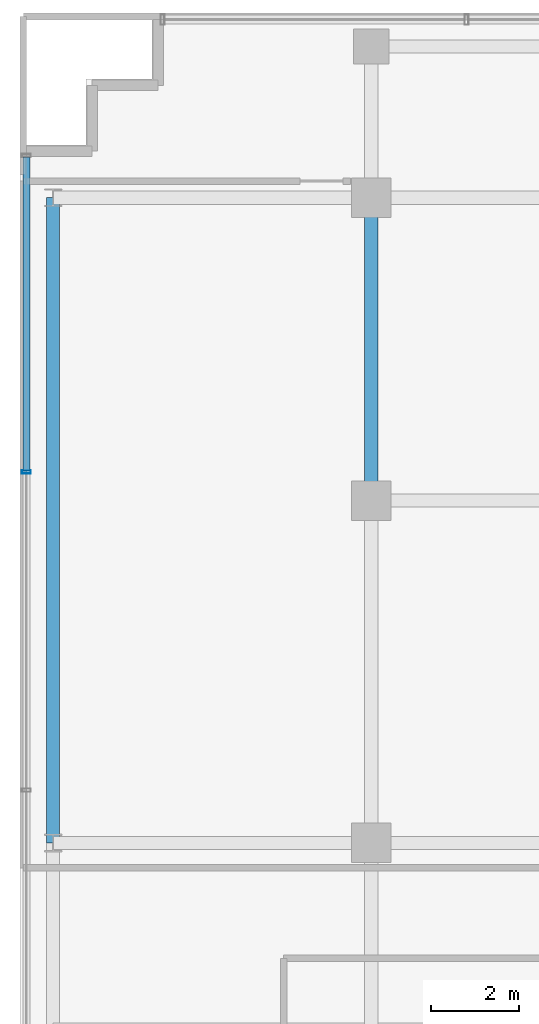
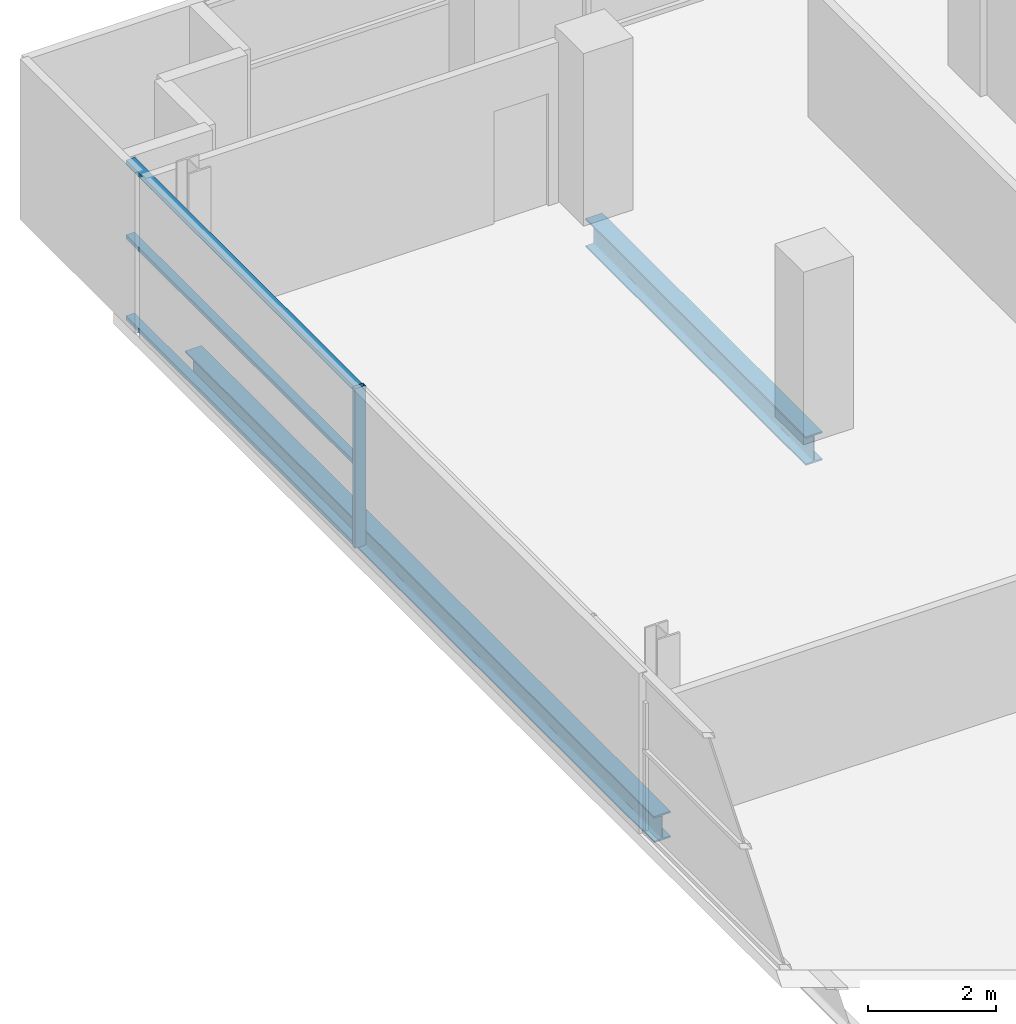
# One storey, part 9 of 25: 4 members, 2 beams, 1 element without a shape of its own.
"""IFC4 building model written with IfcOpenShell, lengths in metres."""

from ifc_helpers import new_model, si_unit, direction, frame, origin, origin_2d, place, context, subcontext, project, spatial, hollow_rectangle, i_section, extrude, source, transform, mapped, material, layer, layer_set, material_profile, profile_set, type_object, element, aggregate, save


model = new_model("IFC4")

# Units and contexts
model_context = context("Model", 3, precision=1e-05, world=origin(), true_north=direction((0.0, 1.0)))
body_context = subcontext(model_context, "Body", "Model", "MODEL_VIEW")
ifc_project = project(units=[si_unit("LENGTHUNIT", "METRE"), si_unit("AREAUNIT", "SQUARE_METRE"), si_unit("VOLUMEUNIT", "CUBIC_METRE"), si_unit("PLANEANGLEUNIT", "RADIAN"), si_unit("MASSUNIT", "GRAM", prefix="KILO")], contexts=[model_context])

# Site, building, storey
site_placement = place(None, origin())
site = spatial("IfcSite", under=ifc_project, at=site_placement, CompositionType="ELEMENT")
building_placement = place(site_placement, origin())
building = spatial("IfcBuilding", under=site, at=building_placement, Name="Zarnakvel Exchange Tower", CompositionType="ELEMENT")
storey_placement = place(building_placement, frame((0.0, 0.0, 100.0)))
storey = spatial("IfcBuildingStorey", under=building, at=storey_placement, Name="L27", CompositionType="ELEMENT", Elevation=100.0)

# Beams
ifc_material_1 = material(Name="Steel S355", Category="steel")
ifc_material_profile_1 = material_profile(ifc_material_1, i_section(OverallWidth=0.300048828125, OverallDepth=0.550048828125, WebThickness=0.014892578125, FlangeThickness=0.029052734375, FilletRadius=0.027099609375, at=origin_2d()))
ifc_profile_set_1 = profile_set([ifc_material_profile_1], Name="Steel S355")
beam_type_1 = type_object("IfcBeamType", Name="G-05", PredefinedType="BEAM", material=ifc_profile_set_1)
beam_1_placement = place(storey_placement, frame((-21.60009765625, 6.60009765625, -0.5), z_axis=(0.0, 1.0, 0.0), x_axis=(-1.0, 0.0, 0.0)))
element("IfcBeam", 1, at=beam_1_placement, inside=storey, type_object=beam_type_1, Name="L27 Tower N-S Frame Beam", PredefinedType="BEAM", context=body_context, shape_type="SweptSolid", body=[
    extrude(i_section(OverallWidth=0.300048828125, OverallDepth=0.550048828125, WebThickness=0.014892578125, FlangeThickness=0.029052734375, FilletRadius=0.027099609375, at=origin_2d()), origin(), (0.0, 0.0, 1.0), 6.89990234375),
])
ifc_material_profile_2 = material_profile(ifc_material_1, i_section(OverallWidth=0.300048828125, OverallDepth=0.5, WebThickness=0.014404296875, FlangeThickness=0.028076171875, FilletRadius=0.027099609375, at=origin_2d()))
ifc_profile_set_2 = profile_set([ifc_material_profile_2], Name="Steel S355")
beam_type_2 = type_object("IfcBeamType", Name="SP-02", PredefinedType="SPANDREL", material=ifc_profile_set_2)
beam_2_placement = place(storey_placement, frame((-28.85009765625, -1.199951171875, -0.47509765625), z_axis=(0.0, 1.0, 0.0), x_axis=(-1.0, 0.0, 0.0)))
element("IfcBeam", 2, at=beam_2_placement, inside=storey, type_object=beam_type_2, Name="L27 Tower N-S Frame Beam", PredefinedType="SPANDREL", context=body_context, shape_type="SweptSolid", body=[
    extrude(i_section(OverallWidth=0.300048828125, OverallDepth=0.5, WebThickness=0.014404296875, FlangeThickness=0.028076171875, FilletRadius=0.027099609375, at=origin_2d()), origin(), (0.0, 0.0, 1.0), 14.699951171875),
])

# Curtain wall, members
ifc_material_2 = material(Name="Architectural Bronze Anodised Aluminium", Category="aluminium")
ifc_layer = layer(ifc_material_2, 0.199951171875)
ifc_layer_set = layer_set([ifc_layer], Name="Architectural Bronze Anodised Aluminium")
curtain_wall_type = type_object("IfcCurtainWallType", Name="CW-04", PredefinedType="NOTDEFINED", material=ifc_layer_set)
curtain_wall_placement = place(storey_placement, origin())
curtain_wall = element("IfcCurtainWall", 3, at=curtain_wall_placement, inside=storey, type_object=curtain_wall_type, Name="L27 Curtain Wall CW-L27-W1 (CW-04)", PredefinedType="NOTDEFINED")
ifc_material_profile_3 = material_profile(ifc_material_2, hollow_rectangle(XDim=0.199951171875, YDim=0.074951171875, WallThickness=0.0048828125, at=origin_2d()))
ifc_profile_set_3 = profile_set([ifc_material_profile_3], Name="Architectural Bronze Anodised Aluminium")
member_type_1 = type_object("IfcMemberType", Name="CWM-04", PredefinedType="MULLION", material=ifc_profile_set_3)
shared_shape_1 = source(origin(), body_context, "Body", "SweptSolid", [
    extrude(hollow_rectangle(XDim=0.199951171875, YDim=0.074951171875, WallThickness=0.0048828125, at=origin_2d()), origin(), (0.0, 0.0, 1.0), 3.054931640625),
])
member_1_placement = place(storey_placement, frame((-29.4599609375, 7.25, 0.0), z_axis=(0.0, 0.0, 1.0), x_axis=(-1.0, 0.0, 0.0)))
member_1 = element("IfcMember", 4, at=member_1_placement, type_object=member_type_1, Name="CW-04 mullion 4", PredefinedType="MULLION", context=body_context, shape_type="MappedRepresentation", body=[
    mapped(shared_shape_1, transform((0.0, 0.0, 0.0), x_axis=(1.0, 0.0, 0.0), y_axis=(0.0, 1.0, 0.0), z_axis=(0.0, 0.0, 1.0), scale=1.0)),
])
ifc_material_profile_4 = material_profile(ifc_material_2, hollow_rectangle(XDim=0.159912109375, YDim=0.074951171875, WallThickness=0.00390625, at=origin_2d()))
ifc_profile_set_4 = profile_set([ifc_material_profile_4], Name="Architectural Bronze Anodised Aluminium")
member_type_2 = type_object("IfcMemberType", Name="CWT-04", PredefinedType="USERDEFINED", material=ifc_profile_set_4)
shared_shape_2 = source(origin(), body_context, "Body", "SweptSolid", [
    extrude(hollow_rectangle(XDim=0.159912109375, YDim=0.074951171875, WallThickness=0.00390625, at=origin_2d()), origin(), (0.0, 0.0, 1.0), 7.137451171875),
])
member_2_placement = place(storey_placement, frame((-29.4599609375, 7.28759765625, 0.03759765625), z_axis=(0.0, 1.0, 0.0), x_axis=(-1.0, 0.0, 0.0)))
member_2 = element("IfcMember", 5, at=member_2_placement, type_object=member_type_2, Name="CW-04 transom 4.1", ObjectType="TRANSOM", PredefinedType="USERDEFINED", context=body_context, shape_type="MappedRepresentation", body=[
    mapped(shared_shape_2, transform((0.0, 0.0, 0.0), x_axis=(1.0, 0.0, 0.0), y_axis=(0.0, 1.0, 0.0), z_axis=(0.0, 0.0, 1.0), scale=1.0)),
])
member_3_placement = place(storey_placement, frame((-29.4599609375, 7.28759765625, 1.588623046875), z_axis=(0.0, 1.0, 0.0), x_axis=(-1.0, 0.0, 0.0)))
member_3 = element("IfcMember", 6, at=member_3_placement, type_object=member_type_2, Name="CW-04 transom 4.2", ObjectType="TRANSOM", PredefinedType="USERDEFINED", context=body_context, shape_type="MappedRepresentation", body=[
    mapped(shared_shape_2, transform((0.0, 0.0, 0.0), x_axis=(1.0, 0.0, 0.0), y_axis=(0.0, 1.0, 0.0), z_axis=(0.0, 0.0, 1.0), scale=1.0)),
])
member_4_placement = place(storey_placement, frame((-29.4599609375, 7.28759765625, 3.017578125), z_axis=(0.0, 1.0, 0.0), x_axis=(-1.0, 0.0, 0.0)))
member_4 = element("IfcMember", 7, at=member_4_placement, type_object=member_type_2, Name="CW-04 transom 4.3", ObjectType="TRANSOM", PredefinedType="USERDEFINED", context=body_context, shape_type="MappedRepresentation", body=[
    mapped(shared_shape_2, transform((0.0, 0.0, 0.0), x_axis=(1.0, 0.0, 0.0), y_axis=(0.0, 1.0, 0.0), z_axis=(0.0, 0.0, 1.0), scale=1.0)),
])
aggregate(curtain_wall, [member_1, member_2, member_3, member_4])

save(model, "model.ifc")
